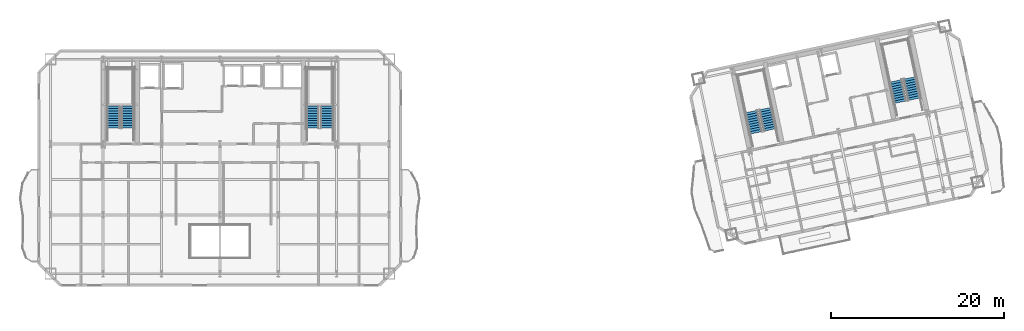
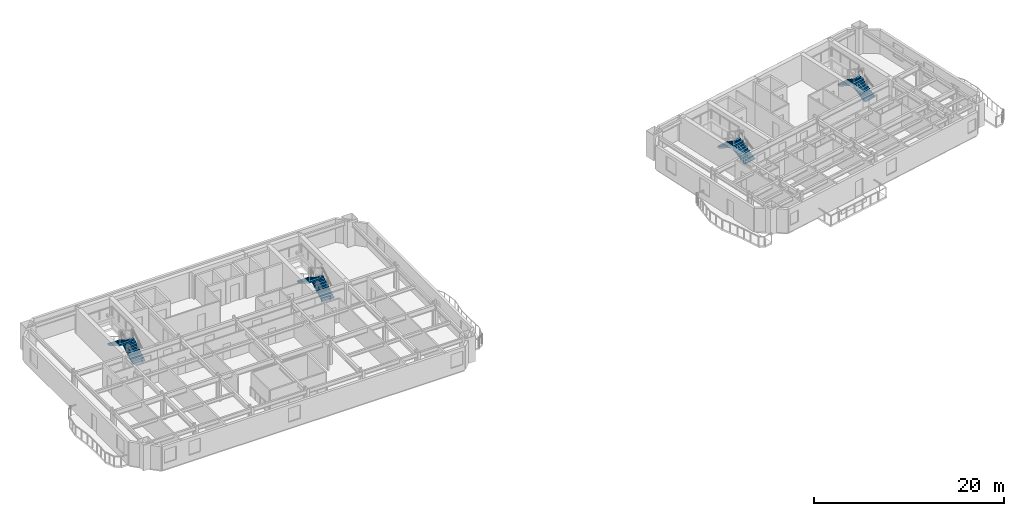
# One storey, part 9 of 13: 8 stair flights, 4 elements without a shape of their own.
"""IFC4 building model written with IfcOpenShell, lengths in metres."""

from ifc_helpers import new_model, si_unit, direction, frame, origin, place, context, subcontext, project, spatial, polyline, outline, extrude, material, type_object, element, aggregate, save


model = new_model("IFC4")

# Units and contexts
model_context = context("Model", 3, precision=1e-05, world=origin(), true_north=direction((0.0, 1.0)))
body_context = subcontext(model_context, "Body", "Model", "MODEL_VIEW")
ifc_project = project(units=[si_unit("LENGTHUNIT", "METRE"), si_unit("AREAUNIT", "SQUARE_METRE"), si_unit("VOLUMEUNIT", "CUBIC_METRE"), si_unit("PLANEANGLEUNIT", "RADIAN"), si_unit("MASSUNIT", "GRAM", prefix="KILO")], contexts=[model_context])

# Site, building, storey
site_placement = place(None, origin())
site = spatial("IfcSite", under=ifc_project, at=site_placement, CompositionType="ELEMENT")
building_placement = place(site_placement, origin())
building = spatial("IfcBuilding", under=site, at=building_placement, Name="Haevon Station Towers", CompositionType="ELEMENT")
storey_placement = place(building_placement, frame((0.0, 0.0, 159.300048828125)))
storey = spatial("IfcBuildingStorey", under=building, at=storey_placement, Name="L43", CompositionType="ELEMENT", Elevation=159.300048828125)

# Stair, stair flights
ifc_material = material(Name="Concrete C40/50", Category="concrete")
stair_type = type_object("IfcStairType", Name="STR-DL1450", PredefinedType="USERDEFINED", material=ifc_material)
stair_1_placement = place(storey_placement, origin())
stair_1 = element("IfcStair", 1, at=stair_1_placement, inside=storey, type_object=stair_type, Name="L43 Escape Stair ST1", ObjectType="TWO_RETURN_STAIR", PredefinedType="USERDEFINED")
stair_flight_type = type_object("IfcStairFlightType", Name="STF-ST1450", PredefinedType="STRAIGHT", material=ifc_material)
stair_flight_1_placement = place(storey_placement, frame((26.85498046875, 40.050048828125, 0.0), z_axis=(0.0, 0.0, 1.0), x_axis=(0.0, 1.0, 0.0)))
stair_flight_1 = element("IfcStairFlight", 2, at=stair_flight_1_placement, type_object=stair_flight_type, Name="L43 ST1 Flight 1", NumberOfRisers=10, NumberOfTreads=9, PredefinedType="STRAIGHT", RiserHeight=0.165, TreadLength=0.28, context=body_context, shape_type="SweptSolid", body=[
    extrude(outline(polyline([(0.0, 0.0), (0.0, 0.1650390625), (0.280029296875, 0.1650390625), (0.280029296875, 0.330078125), (0.56005859375, 0.330078125), (0.56005859375, 0.4951171875), (0.840087890625, 0.4951171875), (0.840087890625, 0.659912109375), (1.1201171875, 0.659912109375), (1.1201171875, 0.824951171875), (1.39990234375, 0.824951171875), (1.39990234375, 0.989990234375), (1.679931640625, 0.989990234375), (1.679931640625, 1.155029296875), (1.9599609375, 1.155029296875), (1.9599609375, 1.320068359375), (2.239990234375, 1.320068359375), (2.239990234375, 1.485107421875), (2.52001953125, 1.485107421875), (2.52001953125, 1.64990234375), (2.52001953125, 1.29931640625), (0.31494140625, 0.0), (0.0, 0.0)])), frame((0.0, 0.72509765625, 0.0), z_axis=(0.0, -1.0, 0.0), x_axis=(1.0, 0.0, 0.0)), (0.0, 0.0, 1.0), 1.449951171875),
])
stair_flight_2_placement = place(storey_placement, frame((25.205078125, 42.570068359375, 1.64990234375), z_axis=(0.0, 0.0, 1.0), x_axis=(0.0, -1.0, 0.0)))
stair_flight_2 = element("IfcStairFlight", 3, at=stair_flight_2_placement, type_object=stair_flight_type, Name="L43 ST1 Flight 2", NumberOfRisers=10, NumberOfTreads=9, PredefinedType="STRAIGHT", RiserHeight=0.165, TreadLength=0.28, context=body_context, shape_type="SweptSolid", body=[
    extrude(outline(polyline([(0.0, 0.0), (0.0, 0.1650390625), (0.280029296875, 0.1650390625), (0.280029296875, 0.330078125), (0.56005859375, 0.330078125), (0.56005859375, 0.4951171875), (0.840087890625, 0.4951171875), (0.840087890625, 0.659912109375), (1.1201171875, 0.659912109375), (1.1201171875, 0.824951171875), (1.39990234375, 0.824951171875), (1.39990234375, 0.989990234375), (1.679931640625, 0.989990234375), (1.679931640625, 1.155029296875), (1.9599609375, 1.155029296875), (1.9599609375, 1.320068359375), (2.239990234375, 1.320068359375), (2.239990234375, 1.485107421875), (2.52001953125, 1.485107421875), (2.52001953125, 1.64990234375), (2.52001953125, 1.29931640625), (0.31494140625, 0.0), (0.0, 0.0)])), frame((0.0, 0.72509765625, 0.0), z_axis=(0.0, -1.0, 0.0), x_axis=(1.0, 0.0, 0.0)), (0.0, 0.0, 1.0), 1.449951171875),
])
aggregate(stair_1, [stair_flight_1, stair_flight_2])

stair_2_placement = place(storey_placement, origin())
stair_2 = element("IfcStair", 4, at=stair_2_placement, inside=storey, type_object=stair_type, Name="L43 Escape Stair ST2", ObjectType="TWO_RETURN_STAIR", PredefinedType="USERDEFINED")
stair_flight_3_placement = place(storey_placement, frame((49.89501953125, 40.050048828125, 0.0), z_axis=(0.0, 0.0, 1.0), x_axis=(0.0, 1.0, 0.0)))
stair_flight_3 = element("IfcStairFlight", 5, at=stair_flight_3_placement, type_object=stair_flight_type, Name="L43 ST2 Flight 1", NumberOfRisers=10, NumberOfTreads=9, PredefinedType="STRAIGHT", RiserHeight=0.165, TreadLength=0.28, context=body_context, shape_type="SweptSolid", body=[
    extrude(outline(polyline([(0.0, 0.0), (0.0, 0.1650390625), (0.280029296875, 0.1650390625), (0.280029296875, 0.330078125), (0.56005859375, 0.330078125), (0.56005859375, 0.4951171875), (0.840087890625, 0.4951171875), (0.840087890625, 0.659912109375), (1.1201171875, 0.659912109375), (1.1201171875, 0.824951171875), (1.39990234375, 0.824951171875), (1.39990234375, 0.989990234375), (1.679931640625, 0.989990234375), (1.679931640625, 1.155029296875), (1.9599609375, 1.155029296875), (1.9599609375, 1.320068359375), (2.239990234375, 1.320068359375), (2.239990234375, 1.485107421875), (2.52001953125, 1.485107421875), (2.52001953125, 1.64990234375), (2.52001953125, 1.29931640625), (0.31494140625, 0.0), (0.0, 0.0)])), frame((0.0, 0.72509765625, 0.0), z_axis=(0.0, -1.0, 0.0), x_axis=(1.0, 0.0, 0.0)), (0.0, 0.0, 1.0), 1.449951171875),
])
stair_flight_4_placement = place(storey_placement, frame((48.2451171875, 42.570068359375, 1.64990234375), z_axis=(0.0, 0.0, 1.0), x_axis=(0.0, -1.0, 0.0)))
stair_flight_4 = element("IfcStairFlight", 6, at=stair_flight_4_placement, type_object=stair_flight_type, Name="L43 ST2 Flight 2", NumberOfRisers=10, NumberOfTreads=9, PredefinedType="STRAIGHT", RiserHeight=0.165, TreadLength=0.28, context=body_context, shape_type="SweptSolid", body=[
    extrude(outline(polyline([(0.0, 0.0), (0.0, 0.1650390625), (0.280029296875, 0.1650390625), (0.280029296875, 0.330078125), (0.56005859375, 0.330078125), (0.56005859375, 0.4951171875), (0.840087890625, 0.4951171875), (0.840087890625, 0.659912109375), (1.1201171875, 0.659912109375), (1.1201171875, 0.824951171875), (1.39990234375, 0.824951171875), (1.39990234375, 0.989990234375), (1.679931640625, 0.989990234375), (1.679931640625, 1.155029296875), (1.9599609375, 1.155029296875), (1.9599609375, 1.320068359375), (2.239990234375, 1.320068359375), (2.239990234375, 1.485107421875), (2.52001953125, 1.485107421875), (2.52001953125, 1.64990234375), (2.52001953125, 1.29931640625), (0.31494140625, 0.0), (0.0, 0.0)])), frame((0.0, 0.72509765625, 0.0), z_axis=(0.0, -1.0, 0.0), x_axis=(1.0, 0.0, 0.0)), (0.0, 0.0, 1.0), 1.449951171875),
])
aggregate(stair_2, [stair_flight_3, stair_flight_4])

stair_3_placement = place(storey_placement, origin())
stair_3 = element("IfcStair", 7, at=stair_3_placement, inside=storey, type_object=stair_type, Name="L43 Escape Stair ST3", ObjectType="TWO_RETURN_STAIR", PredefinedType="USERDEFINED")
stair_flight_5_placement = place(storey_placement, frame((101.1015625, 39.8330078125, 0.0), z_axis=(0.0, 0.0, 1.0), x_axis=(-0.207911690818, 0.978147600734, 0.0)))
stair_flight_5 = element("IfcStairFlight", 8, at=stair_flight_5_placement, type_object=stair_flight_type, Name="L43 ST3 Flight 1", NumberOfRisers=10, NumberOfTreads=9, PredefinedType="STRAIGHT", RiserHeight=0.165, TreadLength=0.28, context=body_context, shape_type="SweptSolid", body=[
    extrude(outline(polyline([(0.0, 0.0), (0.0, 0.1650390625), (0.280029296875, 0.1650390625), (0.280029296875, 0.330078125), (0.56005859375, 0.330078125), (0.56005859375, 0.4951171875), (0.840087890625, 0.4951171875), (0.840087890625, 0.659912109375), (1.1201171875, 0.659912109375), (1.1201171875, 0.824951171875), (1.39990234375, 0.824951171875), (1.39990234375, 0.989990234375), (1.679931640625, 0.989990234375), (1.679931640625, 1.155029296875), (1.9599609375, 1.155029296875), (1.9599609375, 1.320068359375), (2.239990234375, 1.320068359375), (2.239990234375, 1.485107421875), (2.52001953125, 1.485107421875), (2.52001953125, 1.64990234375), (2.52001953125, 1.29931640625), (0.31494140625, 0.0), (0.0, 0.0)])), frame((0.0, 0.72509765625, 0.0), z_axis=(0.0, -1.0, 0.0), x_axis=(1.0, 0.0, 0.0)), (0.0, 0.0, 1.0), 1.449951171875),
])
stair_flight_6_placement = place(storey_placement, frame((98.9638671875, 41.955078125, 1.64990234375), z_axis=(0.0, 0.0, 1.0), x_axis=(0.207911690818, -0.978147600734, 0.0)))
stair_flight_6 = element("IfcStairFlight", 9, at=stair_flight_6_placement, type_object=stair_flight_type, Name="L43 ST3 Flight 2", NumberOfRisers=10, NumberOfTreads=9, PredefinedType="STRAIGHT", RiserHeight=0.165, TreadLength=0.28, context=body_context, shape_type="SweptSolid", body=[
    extrude(outline(polyline([(0.0, 0.0), (0.0, 0.1650390625), (0.280029296875, 0.1650390625), (0.280029296875, 0.330078125), (0.56005859375, 0.330078125), (0.56005859375, 0.4951171875), (0.840087890625, 0.4951171875), (0.840087890625, 0.659912109375), (1.1201171875, 0.659912109375), (1.1201171875, 0.824951171875), (1.39990234375, 0.824951171875), (1.39990234375, 0.989990234375), (1.679931640625, 0.989990234375), (1.679931640625, 1.155029296875), (1.9599609375, 1.155029296875), (1.9599609375, 1.320068359375), (2.239990234375, 1.320068359375), (2.239990234375, 1.485107421875), (2.52001953125, 1.485107421875), (2.52001953125, 1.64990234375), (2.52001953125, 1.29931640625), (0.31494140625, 0.0), (0.0, 0.0)])), frame((0.0, 0.72509765625, 0.0), z_axis=(0.0, -1.0, 0.0), x_axis=(1.0, 0.0, 0.0)), (0.0, 0.0, 1.0), 1.449951171875),
])
aggregate(stair_3, [stair_flight_5, stair_flight_6])

stair_4_placement = place(storey_placement, origin())
stair_4 = element("IfcStair", 10, at=stair_4_placement, inside=storey, type_object=stair_type, Name="L43 Escape Stair ST4", ObjectType="TWO_RETURN_STAIR", PredefinedType="USERDEFINED")
stair_flight_7_placement = place(storey_placement, frame((117.788818359375, 43.380126953125, 0.0), z_axis=(0.0, 0.0, 1.0), x_axis=(-0.207911690818, 0.978147600734, 0.0)))
stair_flight_7 = element("IfcStairFlight", 11, at=stair_flight_7_placement, type_object=stair_flight_type, Name="L43 ST4 Flight 1", NumberOfRisers=10, NumberOfTreads=9, PredefinedType="STRAIGHT", RiserHeight=0.165, TreadLength=0.28, context=body_context, shape_type="SweptSolid", body=[
    extrude(outline(polyline([(0.0, 0.0), (0.0, 0.1650390625), (0.280029296875, 0.1650390625), (0.280029296875, 0.330078125), (0.56005859375, 0.330078125), (0.56005859375, 0.4951171875), (0.840087890625, 0.4951171875), (0.840087890625, 0.659912109375), (1.1201171875, 0.659912109375), (1.1201171875, 0.824951171875), (1.39990234375, 0.824951171875), (1.39990234375, 0.989990234375), (1.679931640625, 0.989990234375), (1.679931640625, 1.155029296875), (1.9599609375, 1.155029296875), (1.9599609375, 1.320068359375), (2.239990234375, 1.320068359375), (2.239990234375, 1.485107421875), (2.52001953125, 1.485107421875), (2.52001953125, 1.64990234375), (2.52001953125, 1.29931640625), (0.31494140625, 0.0), (0.0, 0.0)])), frame((0.0, 0.72509765625, 0.0), z_axis=(0.0, -1.0, 0.0), x_axis=(1.0, 0.0, 0.0)), (0.0, 0.0, 1.0), 1.449951171875),
])
stair_flight_8_placement = place(storey_placement, frame((115.65087890625, 45.501953125, 1.64990234375), z_axis=(0.0, 0.0, 1.0), x_axis=(0.207911690818, -0.978147600734, 0.0)))
stair_flight_8 = element("IfcStairFlight", 12, at=stair_flight_8_placement, type_object=stair_flight_type, Name="L43 ST4 Flight 2", NumberOfRisers=10, NumberOfTreads=9, PredefinedType="STRAIGHT", RiserHeight=0.165, TreadLength=0.28, context=body_context, shape_type="SweptSolid", body=[
    extrude(outline(polyline([(0.0, 0.0), (0.0, 0.1650390625), (0.280029296875, 0.1650390625), (0.280029296875, 0.330078125), (0.56005859375, 0.330078125), (0.56005859375, 0.4951171875), (0.840087890625, 0.4951171875), (0.840087890625, 0.659912109375), (1.1201171875, 0.659912109375), (1.1201171875, 0.824951171875), (1.39990234375, 0.824951171875), (1.39990234375, 0.989990234375), (1.679931640625, 0.989990234375), (1.679931640625, 1.155029296875), (1.9599609375, 1.155029296875), (1.9599609375, 1.320068359375), (2.239990234375, 1.320068359375), (2.239990234375, 1.485107421875), (2.52001953125, 1.485107421875), (2.52001953125, 1.64990234375), (2.52001953125, 1.29931640625), (0.31494140625, 0.0), (0.0, 0.0)])), frame((0.0, 0.72509765625, 0.0), z_axis=(0.0, -1.0, 0.0), x_axis=(1.0, 0.0, 0.0)), (0.0, 0.0, 1.0), 1.449951171875),
])
aggregate(stair_4, [stair_flight_7, stair_flight_8])

save(model, "model.ifc")
